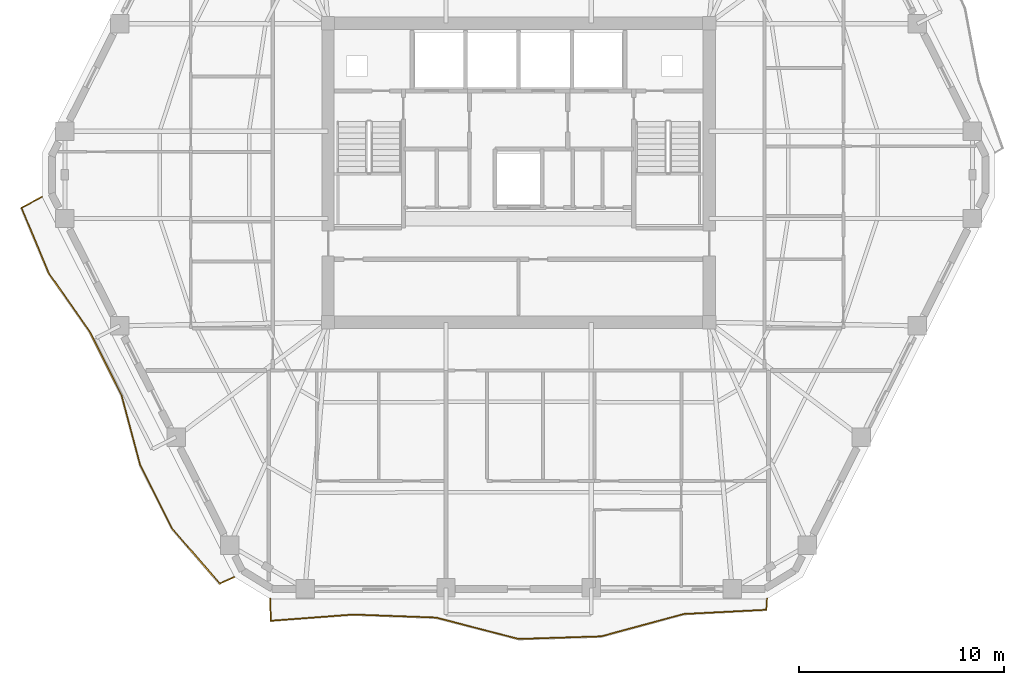
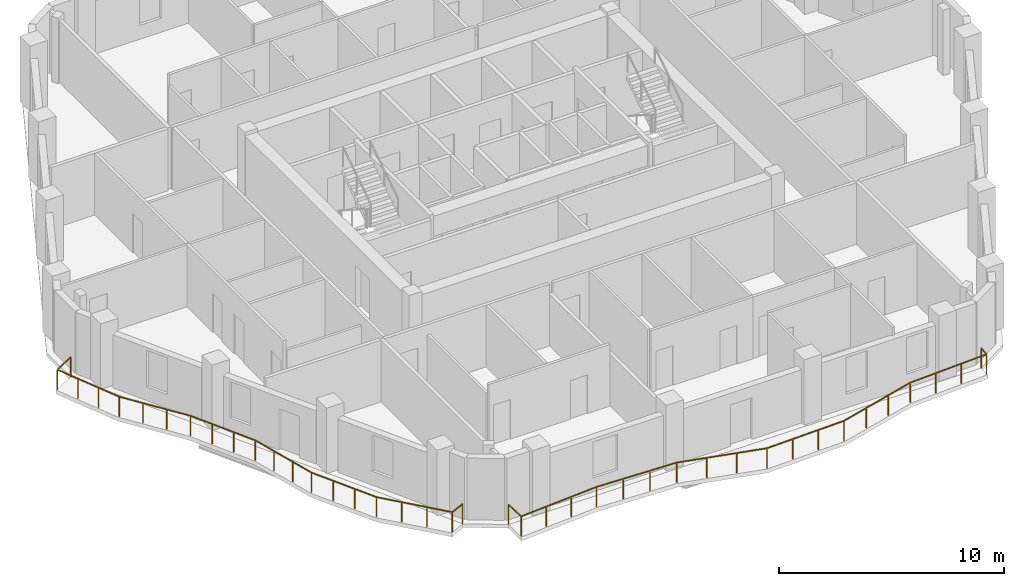
# One storey, part 9 of 11: 2 railings.
"""IFC4 building model written with IfcOpenShell, lengths in metres."""

from ifc_helpers import new_model, si_unit, direction, frame, origin, origin_2d, place, context, subcontext, project, spatial, rectangle, extrude, material, type_object, element, save


model = new_model("IFC4")

# Units and contexts
model_context = context("Model", 3, precision=1e-05, world=origin(), true_north=direction((0.0, 1.0)))
body_context = subcontext(model_context, "Body", "Model", "MODEL_VIEW")
ifc_project = project(units=[si_unit("LENGTHUNIT", "METRE"), si_unit("AREAUNIT", "SQUARE_METRE"), si_unit("VOLUMEUNIT", "CUBIC_METRE"), si_unit("PLANEANGLEUNIT", "RADIAN"), si_unit("MASSUNIT", "GRAM", prefix="KILO")], contexts=[model_context])

# Site, building, storey
site_placement = place(None, origin())
site = spatial("IfcSite", under=ifc_project, at=site_placement, CompositionType="ELEMENT")
building_placement = place(site_placement, origin())
building = spatial("IfcBuilding", under=site, at=building_placement, Name="Cinnabar Lancet Tower", CompositionType="ELEMENT")
storey_placement = place(building_placement, frame((0.0, 0.0, 175.449951171875)))
storey = spatial("IfcBuildingStorey", under=building, at=storey_placement, Name="L46", CompositionType="ELEMENT", Elevation=175.449951171875)

# Railings
ifc_material = material(Name="Laminated safety glass and bronze stainless steel balustrade", Category="steel")
railing_type = type_object("IfcRailingType", Name="ENV-RLG-BAL-1100", PredefinedType="BALUSTRADE", material=ifc_material)
railing_1_placement = place(storey_placement, frame((20.27197265625, 5.10009765625, 0.0)))
element("IfcRailing", 1, at=railing_1_placement, inside=storey, type_object=railing_type, Name="L46 Face 1 Wave Balcony Balustrade", PredefinedType="BALUSTRADE", context=body_context, shape_type="SweptSolid", body=[
    extrude(rectangle(XDim=0.048095703125, YDim=0.048095703125, at=origin_2d()), frame((0.0, 0.0, 1.076171875), z_axis=(0.031784436023, -0.999494747173, 0.0), x_axis=(0.999494747173, 0.031784436023, 0.0)), (0.0, 0.0, 1.0), 1.067626953125),
    extrude(rectangle(XDim=0.048095703125, YDim=0.048095703125, at=origin_2d()), frame((0.033935546875, -1.067138671875, 1.076171875), z_axis=(0.997173597191, 0.07513199761, 0.0), x_axis=(-0.07513199761, 0.997173597191, 0.0)), (0.0, 0.0, 1.0), 4.045654296875),
    extrude(rectangle(XDim=0.048095703125, YDim=0.048095703125, at=origin_2d()), frame((4.068115234375, -0.76318359375, 1.076171875), z_axis=(0.999326806008, -0.036686983973, 0.0), x_axis=(0.036686983973, 0.999326806008, 0.0)), (0.0, 0.0, 1.0), 4.03271484375),
    extrude(rectangle(XDim=0.048095703125, YDim=0.048095703125, at=origin_2d()), frame((8.09814453125, -0.9111328125, 1.076171875), z_axis=(0.968044372168, -0.250778973427, 0.0), x_axis=(0.250778973427, 0.968044372168, 0.0)), (0.0, 0.0, 1.0), 4.162841796875),
    extrude(rectangle(XDim=0.048095703125, YDim=0.048095703125, at=origin_2d()), frame((12.1279296875, -1.955078125, 1.076171875), z_axis=(0.999504427719, 0.031478547781, 0.0), x_axis=(-0.031478547781, 0.999504427719, 0.0)), (0.0, 0.0, 1.0), 4.032958984375),
    extrude(rectangle(XDim=0.048095703125, YDim=0.048095703125, at=origin_2d()), frame((16.158935546875, -1.828125, 1.076171875), z_axis=(0.965234672865, 0.261384824155, 0.0), x_axis=(-0.261384824155, 0.965234672865, 0.0)), (0.0, 0.0, 1.0), 4.174072265625),
    extrude(rectangle(XDim=0.048095703125, YDim=0.048095703125, at=origin_2d()), frame((20.18798828125, -0.737060546875, 1.076171875), z_axis=(0.998697318862, 0.051026123683, 0.0), x_axis=(-0.051026123683, 0.998697318862, 0.0)), (0.0, 0.0, 1.0), 4.038330078125),
    extrude(rectangle(XDim=0.048095703125, YDim=0.048095703125, at=origin_2d()), frame((24.220947265625, -0.531005859375, 1.076171875), z_axis=(0.066062267743, 0.997815502375, 0.0), x_axis=(-0.997815502375, 0.066062267743, 0.0)), (0.0, 0.0, 1.0), 0.5322265625),
    extrude(rectangle(XDim=0.0419921875, YDim=0.0419921875, at=origin_2d()), origin(), (0.0, 0.0, 1.0), 1.052001953125),
    extrude(rectangle(XDim=0.0419921875, YDim=0.0419921875, at=origin_2d()), frame((0.033935546875, -1.067138671875, 0.0)), (0.0, 0.0, 1.0), 1.052001953125),
    extrude(rectangle(XDim=0.0419921875, YDim=0.0419921875, at=origin_2d()), frame((1.378662109375, -0.9658203125, 0.0)), (0.0, 0.0, 1.0), 1.052001953125),
    extrude(rectangle(XDim=0.0419921875, YDim=0.0419921875, at=origin_2d()), frame((2.723388671875, -0.864501953125, 0.0)), (0.0, 0.0, 1.0), 1.052001953125),
    extrude(rectangle(XDim=0.0419921875, YDim=0.0419921875, at=origin_2d()), frame((4.068115234375, -0.76318359375, 0.0)), (0.0, 0.0, 1.0), 1.052001953125),
    extrude(rectangle(XDim=0.0419921875, YDim=0.0419921875, at=origin_2d()), frame((5.411376953125, -0.8125, 0.0)), (0.0, 0.0, 1.0), 1.052001953125),
    extrude(rectangle(XDim=0.0419921875, YDim=0.0419921875, at=origin_2d()), frame((6.7548828125, -0.86181640625, 0.0)), (0.0, 0.0, 1.0), 1.052001953125),
    extrude(rectangle(XDim=0.0419921875, YDim=0.0419921875, at=origin_2d()), frame((8.09814453125, -0.9111328125, 0.0)), (0.0, 0.0, 1.0), 1.052001953125),
    extrude(rectangle(XDim=0.0419921875, YDim=0.0419921875, at=origin_2d()), frame((9.44140625, -1.259033203125, 0.0)), (0.0, 0.0, 1.0), 1.052001953125),
    extrude(rectangle(XDim=0.0419921875, YDim=0.0419921875, at=origin_2d()), frame((10.78466796875, -1.607177734375, 0.0)), (0.0, 0.0, 1.0), 1.052001953125),
    extrude(rectangle(XDim=0.0419921875, YDim=0.0419921875, at=origin_2d()), frame((12.1279296875, -1.955078125, 0.0)), (0.0, 0.0, 1.0), 1.052001953125),
    extrude(rectangle(XDim=0.0419921875, YDim=0.0419921875, at=origin_2d()), frame((13.4716796875, -1.912841796875, 0.0)), (0.0, 0.0, 1.0), 1.052001953125),
    extrude(rectangle(XDim=0.0419921875, YDim=0.0419921875, at=origin_2d()), frame((14.815185546875, -1.870361328125, 0.0)), (0.0, 0.0, 1.0), 1.052001953125),
    extrude(rectangle(XDim=0.0419921875, YDim=0.0419921875, at=origin_2d()), frame((16.158935546875, -1.828125, 0.0)), (0.0, 0.0, 1.0), 1.052001953125),
    extrude(rectangle(XDim=0.0419921875, YDim=0.0419921875, at=origin_2d()), frame((17.501953125, -1.46435546875, 0.0)), (0.0, 0.0, 1.0), 1.052001953125),
    extrude(rectangle(XDim=0.0419921875, YDim=0.0419921875, at=origin_2d()), frame((18.844970703125, -1.100830078125, 0.0)), (0.0, 0.0, 1.0), 1.052001953125),
    extrude(rectangle(XDim=0.0419921875, YDim=0.0419921875, at=origin_2d()), frame((20.18798828125, -0.737060546875, 0.0)), (0.0, 0.0, 1.0), 1.052001953125),
    extrude(rectangle(XDim=0.0419921875, YDim=0.0419921875, at=origin_2d()), frame((21.5322265625, -0.66845703125, 0.0)), (0.0, 0.0, 1.0), 1.052001953125),
    extrude(rectangle(XDim=0.0419921875, YDim=0.0419921875, at=origin_2d()), frame((22.876708984375, -0.599609375, 0.0)), (0.0, 0.0, 1.0), 1.052001953125),
    extrude(rectangle(XDim=0.0419921875, YDim=0.0419921875, at=origin_2d()), frame((24.220947265625, -0.531005859375, 0.0)), (0.0, 0.0, 1.0), 1.052001953125),
    extrude(rectangle(XDim=0.0419921875, YDim=0.0419921875, at=origin_2d()), frame((24.256103515625, 0.0, 0.0)), (0.0, 0.0, 1.0), 1.052001953125),
])
railing_2_placement = place(storey_placement, frame((9.14208984375, 24.72900390625, 0.0)))
element("IfcRailing", 2, at=railing_2_placement, inside=storey, type_object=railing_type, Name="L46 Face 6 Wave Balcony Balustrade", PredefinedType="BALUSTRADE", context=body_context, shape_type="SweptSolid", body=[
    extrude(rectangle(XDim=0.048095703125, YDim=0.048095703125, at=origin_2d()), frame((0.0, 0.0, 1.076171875), z_axis=(-0.881286154222, -0.472583023791, 0.0), x_axis=(0.472583023791, -0.881286154222, 0.0)), (0.0, 0.0, 1.0), 1.142822265625),
    extrude(rectangle(XDim=0.048095703125, YDim=0.048095703125, at=origin_2d()), frame((-1.007080078125, -0.5400390625, 1.076171875), z_axis=(0.385940183469, -0.922523807164, 0.0), x_axis=(0.922523807164, 0.385940183469, 0.0)), (0.0, 0.0, 1.0), 3.466552734375),
    extrude(rectangle(XDim=0.048095703125, YDim=0.048095703125, at=origin_2d()), frame((0.330810546875, -3.738037109375, 1.076171875), z_axis=(0.57370634045, -0.819061069108, 0.0), x_axis=(0.819061069108, 0.57370634045, 0.0)), (0.0, 0.0, 1.0), 3.49169921875),
    extrude(rectangle(XDim=0.048095703125, YDim=0.048095703125, at=origin_2d()), frame((2.333984375, -6.597900390625, 1.076171875), z_axis=(0.447185328189, -0.894441324097, 0.0), x_axis=(0.894441324097, 0.447185328189, 0.0)), (0.0, 0.0, 1.0), 3.454833984375),
    extrude(rectangle(XDim=0.048095703125, YDim=0.048095703125, at=origin_2d()), frame((3.87890625, -9.68798828125, 1.076171875), z_axis=(0.257925106673, -0.966164913122, 0.0), x_axis=(0.966164913122, 0.257925106673, 0.0)), (0.0, 0.0, 1.0), 3.531494140625),
    extrude(rectangle(XDim=0.048095703125, YDim=0.048095703125, at=origin_2d()), frame((4.789794921875, -13.10009765625, 1.076171875), z_axis=(0.448964242391, -0.893549723885, 0.0), x_axis=(0.893549723885, 0.448964242391, 0.0)), (0.0, 0.0, 1.0), 3.456787109375),
    extrude(rectangle(XDim=0.048095703125, YDim=0.048095703125, at=origin_2d()), frame((6.341796875, -16.18896484375, 1.076171875), z_axis=(0.65431721225, -0.756220196605, 0.0), x_axis=(0.756220196605, 0.65431721225, 0.0)), (0.0, 0.0, 1.0), 3.5625),
    extrude(rectangle(XDim=0.048095703125, YDim=0.048095703125, at=origin_2d()), frame((8.6728515625, -18.883056640625, 1.076171875), z_axis=(0.910409051533, 0.413709268553, 0.0), x_axis=(-0.413709268553, 0.910409051533, 0.0)), (0.0, 0.0, 1.0), 0.785400390625),
    extrude(rectangle(XDim=0.0419921875, YDim=0.0419921875, at=origin_2d()), origin(), (0.0, 0.0, 1.0), 1.052001953125),
    extrude(rectangle(XDim=0.0419921875, YDim=0.0419921875, at=origin_2d()), frame((-1.007080078125, -0.5400390625, 0.0)), (0.0, 0.0, 1.0), 1.052001953125),
    extrude(rectangle(XDim=0.0419921875, YDim=0.0419921875, at=origin_2d()), frame((-0.56103515625, -1.60595703125, 0.0)), (0.0, 0.0, 1.0), 1.052001953125),
    extrude(rectangle(XDim=0.0419921875, YDim=0.0419921875, at=origin_2d()), frame((-0.115234375, -2.672119140625, 0.0)), (0.0, 0.0, 1.0), 1.052001953125),
    extrude(rectangle(XDim=0.0419921875, YDim=0.0419921875, at=origin_2d()), frame((0.330810546875, -3.738037109375, 0.0)), (0.0, 0.0, 1.0), 1.052001953125),
    extrude(rectangle(XDim=0.0419921875, YDim=0.0419921875, at=origin_2d()), frame((0.99853515625, -4.69140625, 0.0)), (0.0, 0.0, 1.0), 1.052001953125),
    extrude(rectangle(XDim=0.0419921875, YDim=0.0419921875, at=origin_2d()), frame((1.666259765625, -5.64453125, 0.0)), (0.0, 0.0, 1.0), 1.052001953125),
    extrude(rectangle(XDim=0.0419921875, YDim=0.0419921875, at=origin_2d()), frame((2.333984375, -6.597900390625, 0.0)), (0.0, 0.0, 1.0), 1.052001953125),
    extrude(rectangle(XDim=0.0419921875, YDim=0.0419921875, at=origin_2d()), frame((2.848876953125, -7.6279296875, 0.0)), (0.0, 0.0, 1.0), 1.052001953125),
    extrude(rectangle(XDim=0.0419921875, YDim=0.0419921875, at=origin_2d()), frame((3.364013671875, -8.657958984375, 0.0)), (0.0, 0.0, 1.0), 1.052001953125),
    extrude(rectangle(XDim=0.0419921875, YDim=0.0419921875, at=origin_2d()), frame((3.87890625, -9.68798828125, 0.0)), (0.0, 0.0, 1.0), 1.052001953125),
    extrude(rectangle(XDim=0.0419921875, YDim=0.0419921875, at=origin_2d()), frame((4.1826171875, -10.825439453125, 0.0)), (0.0, 0.0, 1.0), 1.052001953125),
    extrude(rectangle(XDim=0.0419921875, YDim=0.0419921875, at=origin_2d()), frame((4.486083984375, -11.962646484375, 0.0)), (0.0, 0.0, 1.0), 1.052001953125),
    extrude(rectangle(XDim=0.0419921875, YDim=0.0419921875, at=origin_2d()), frame((4.789794921875, -13.10009765625, 0.0)), (0.0, 0.0, 1.0), 1.052001953125),
    extrude(rectangle(XDim=0.0419921875, YDim=0.0419921875, at=origin_2d()), frame((5.30712890625, -14.129638671875, 0.0)), (0.0, 0.0, 1.0), 1.052001953125),
    extrude(rectangle(XDim=0.0419921875, YDim=0.0419921875, at=origin_2d()), frame((5.824462890625, -15.159423828125, 0.0)), (0.0, 0.0, 1.0), 1.052001953125),
    extrude(rectangle(XDim=0.0419921875, YDim=0.0419921875, at=origin_2d()), frame((6.341796875, -16.18896484375, 0.0)), (0.0, 0.0, 1.0), 1.052001953125),
    extrude(rectangle(XDim=0.0419921875, YDim=0.0419921875, at=origin_2d()), frame((7.118896484375, -17.0869140625, 0.0)), (0.0, 0.0, 1.0), 1.052001953125),
    extrude(rectangle(XDim=0.0419921875, YDim=0.0419921875, at=origin_2d()), frame((7.895751953125, -17.985107421875, 0.0)), (0.0, 0.0, 1.0), 1.052001953125),
    extrude(rectangle(XDim=0.0419921875, YDim=0.0419921875, at=origin_2d()), frame((8.6728515625, -18.883056640625, 0.0)), (0.0, 0.0, 1.0), 1.052001953125),
    extrude(rectangle(XDim=0.0419921875, YDim=0.0419921875, at=origin_2d()), frame((9.387939453125, -18.55810546875, 0.0)), (0.0, 0.0, 1.0), 1.052001953125),
])

save(model, "model.ifc")
